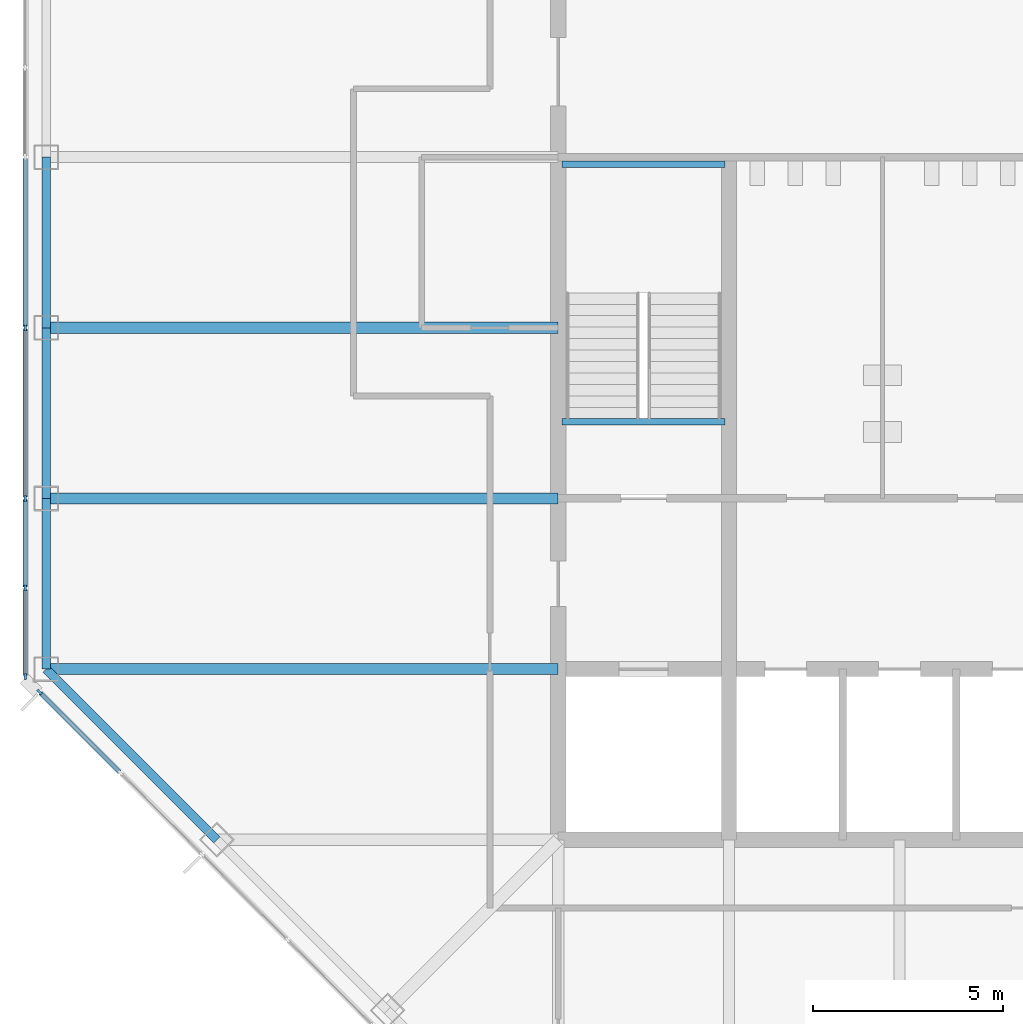
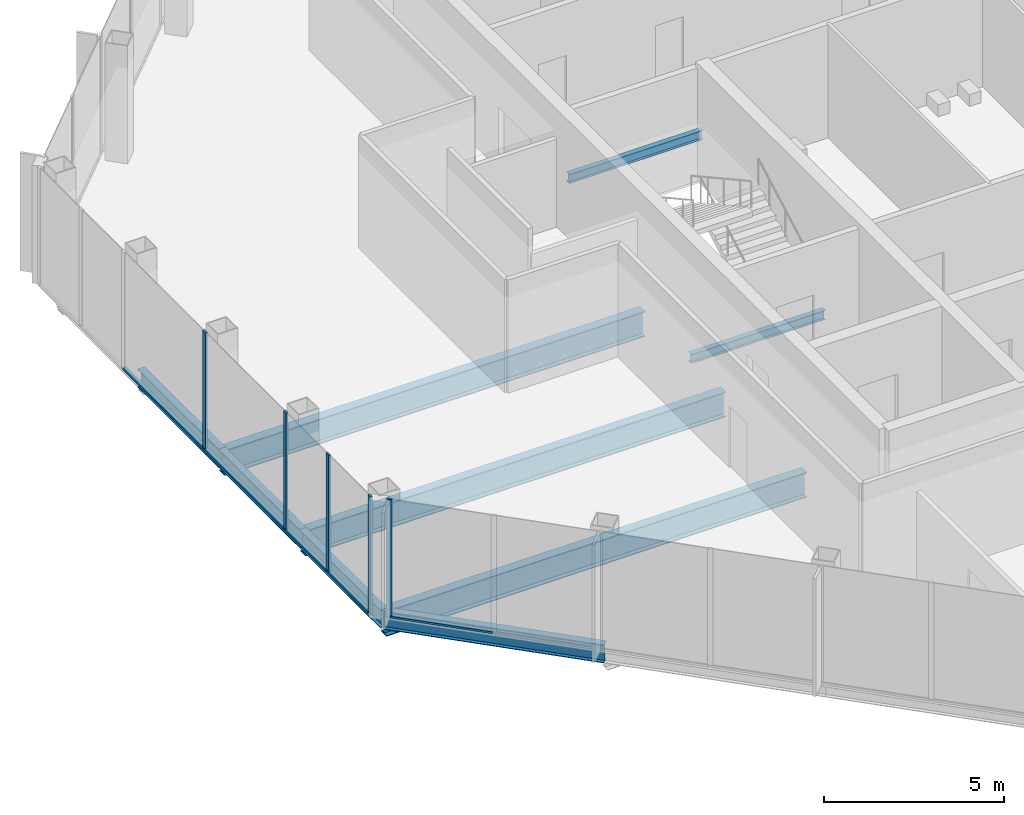
# One storey, part 3 of 14: 10 members, 9 beams, 2 elements without a shape of their own.
"""IFC4 building model written with IfcOpenShell, lengths in metres."""

from ifc_helpers import new_model, si_unit, direction, frame, origin, origin_2d, place, context, subcontext, project, spatial, rectangle, i_section, extrude, material, material_profile, profile_set, type_object, element, aggregate, save


model = new_model("IFC4")

# Units and contexts
model_context = context("Model", 3, precision=1e-05, world=origin(), true_north=direction((0.0, 1.0)))
body_context = subcontext(model_context, "Body", "Model", "MODEL_VIEW")
ifc_project = project(units=[si_unit("LENGTHUNIT", "METRE"), si_unit("AREAUNIT", "SQUARE_METRE"), si_unit("VOLUMEUNIT", "CUBIC_METRE"), si_unit("PLANEANGLEUNIT", "RADIAN"), si_unit("MASSUNIT", "GRAM", prefix="KILO")], contexts=[model_context])

# Site, building, storey
site_placement = place(None, origin())
site = spatial("IfcSite", under=ifc_project, at=site_placement, CompositionType="ELEMENT")
building_placement = place(site_placement, origin())
building = spatial("IfcBuilding", under=site, at=building_placement, Name="Corais Broadcast Tower", CompositionType="ELEMENT")
storey_placement = place(building_placement, frame((0.0, 0.0, 246.60009765625)))
storey = spatial("IfcBuildingStorey", under=building, at=storey_placement, Name="L57", CompositionType="ELEMENT", Elevation=246.60009765625)

# Beams
ifc_material_1 = material(Name="Steel ASTM A572 Grade 50", Category="steel")
ifc_material_profile_1 = material_profile(ifc_material_1, i_section(OverallWidth=0.2939453125, OverallDepth=0.85107421875, WebThickness=0.01611328125, FlangeThickness=0.02685546875, at=origin_2d()), Name="W840x226")
ifc_profile_set_1 = profile_set([ifc_material_profile_1], Name="Steel ASTM A572 Grade 50")
beam_type_1 = type_object("IfcBeamType", Name="Floor beam W840x226", PredefinedType="BEAM", material=ifc_profile_set_1)
for number, where, z_axis, x_axis, name in (
    (1, (0.0, 18.0, -0.585693359375), (1.0, 0.0, 0.0), (0.0, 1.0, 0.0), "B1 E/3 to E/6"),
    (2, (0.0, 22.5, -0.585693359375), (1.0, 0.0, 0.0), (0.0, 1.0, 0.0), "B1 F/3 to F/6"),
    (3, (0.0, 27.0, -0.585693359375), (1.0, 0.0, 0.0), (0.0, 1.0, 0.0), "B1 G/3 to G/6"),
):
    element("IfcBeam", number, at=place(storey_placement, frame(where, z_axis=z_axis, x_axis=x_axis)), inside=storey, type_object=beam_type_1, Name=name, PredefinedType="BEAM", context=body_context, shape_type="SweptSolid", body=[
        extrude(i_section(OverallWidth=0.2939453125, OverallDepth=0.85107421875, WebThickness=0.01611328125, FlangeThickness=0.02685546875, at=origin_2d()), origin(), (0.0, 0.0, 1.0), 13.5),
    ])
ifc_material_2 = material(Name="Steel ASTM A572 Grade 50", Category="steel")
ifc_material_profile_2 = material_profile(ifc_material_2, i_section(OverallWidth=0.1650390625, OverallDepth=0.31005859375, WebThickness=0.005859375, FlangeThickness=0.009765625, at=origin_2d()), Name="W310x38.7")
ifc_profile_set_2 = profile_set([ifc_material_profile_2], Name="Steel ASTM A572 Grade 50")
beam_type_2 = type_object("IfcBeamType", Name="Landing trimmer W310x38.7", PredefinedType="BEAM", material=ifc_profile_set_2)
for number, where, z_axis, x_axis, name in (
    (4, (13.60009765625, 24.52490234375, -0.35498046875), (1.0, 0.0, 0.0), (0.0, 1.0, 0.0), "LT1 stair A landing trimmer L57"),
    (5, (13.60009765625, 31.31005859375, 1.64501953125), (1.0, 0.0, 0.0), (0.0, 1.0, 0.0), "LT1 stair A half landing trimmer L57"),
):
    element("IfcBeam", number, at=place(storey_placement, frame(where, z_axis=z_axis, x_axis=x_axis)), inside=storey, type_object=beam_type_2, Name=name, PredefinedType="BEAM", context=body_context, shape_type="SweptSolid", body=[
        extrude(i_section(OverallWidth=0.1650390625, OverallDepth=0.31005859375, WebThickness=0.005859375, FlangeThickness=0.009765625, at=origin_2d()), origin(), (0.0, 0.0, 1.0), 4.2998046875),
    ])

# Curtain wall, member
ifc_material_3 = material(Name="Aluminium and glass", Category="aluminium")
curtain_wall_type = type_object("IfcCurtainWallType", Name="Unitised fritted curtain wall CW3", PredefinedType="NOTDEFINED", material=ifc_material_3)
curtain_wall_1_placement = place(storey_placement, origin())
curtain_wall_1 = element("IfcCurtainWall", 6, at=curtain_wall_1_placement, inside=storey, type_object=curtain_wall_type, Name="CW3 curtain wall L57 1", PredefinedType="NOTDEFINED")
ifc_material_4 = material(Name="Aluminium 6063-T6", Category="aluminium")
ifc_material_profile_3 = material_profile(ifc_material_4, rectangle(XDim=0.06494140625, YDim=0.159912109375, at=origin_2d()), Name="Mullion CW3 65x160")
ifc_profile_set_3 = profile_set([ifc_material_profile_3], Name="Aluminium 6063-T6")
member_type_1 = type_object("IfcMemberType", Name="Mullion CW3 65x160", PredefinedType="MULLION", material=ifc_profile_set_3)
member_1_placement = place(storey_placement, frame((-0.17333984375, 17.3955078125, 0.0), z_axis=(0.0, 0.0, 1.0), x_axis=(-0.707106781187, -0.707106781187, 0.0)))
member_1 = element("IfcMember", 7, at=member_1_placement, type_object=member_type_1, Name="CW3 mullion 9", PredefinedType="MULLION", context=body_context, shape_type="SweptSolid", body=[
    extrude(rectangle(XDim=0.06494140625, YDim=0.159912109375, at=origin_2d()), origin(), (0.0, 0.0, 1.0), 4.0),
])

# Curtain wall, members
curtain_wall_2_placement = place(storey_placement, origin())
curtain_wall_2 = element("IfcCurtainWall", 8, at=curtain_wall_2_placement, inside=storey, type_object=curtain_wall_type, Name="CW3 curtain wall L57 2", PredefinedType="NOTDEFINED")
member_2_placement = place(storey_placement, frame((-0.550048828125, 17.8046875, 0.0), z_axis=(0.0, 0.0, 1.0), x_axis=(-1.0, 0.0, 0.0)))
member_2 = element("IfcMember", 9, at=member_2_placement, type_object=member_type_1, Name="CW3 mullion 1", PredefinedType="MULLION", context=body_context, shape_type="SweptSolid", body=[
    extrude(rectangle(XDim=0.06494140625, YDim=0.159912109375, at=origin_2d()), origin(), (0.0, 0.0, 1.0), 4.0),
])
member_3_placement = place(storey_placement, frame((-0.550048828125, 20.135986328125, 0.0), z_axis=(0.0, 0.0, 1.0), x_axis=(-1.0, 0.0, 0.0)))
member_3 = element("IfcMember", 10, at=member_3_placement, type_object=member_type_1, Name="CW3 mullion 2", PredefinedType="MULLION", context=body_context, shape_type="SweptSolid", body=[
    extrude(rectangle(XDim=0.06494140625, YDim=0.159912109375, at=origin_2d()), origin(), (0.0, 0.0, 1.0), 4.0),
])
member_4_placement = place(storey_placement, frame((-0.550048828125, 22.5, 0.0), z_axis=(0.0, 0.0, 1.0), x_axis=(-1.0, 0.0, 0.0)))
member_4 = element("IfcMember", 11, at=member_4_placement, type_object=member_type_1, Name="CW3 mullion 3", PredefinedType="MULLION", context=body_context, shape_type="SweptSolid", body=[
    extrude(rectangle(XDim=0.06494140625, YDim=0.159912109375, at=origin_2d()), origin(), (0.0, 0.0, 1.0), 4.0),
])
member_5_placement = place(storey_placement, frame((-0.550048828125, 27.0, 0.0), z_axis=(0.0, 0.0, 1.0), x_axis=(-1.0, 0.0, 0.0)))
member_5 = element("IfcMember", 12, at=member_5_placement, type_object=member_type_1, Name="CW3 mullion 4", PredefinedType="MULLION", context=body_context, shape_type="SweptSolid", body=[
    extrude(rectangle(XDim=0.06494140625, YDim=0.159912109375, at=origin_2d()), origin(), (0.0, 0.0, 1.0), 4.0),
])

# Beams
ifc_material_5 = material(Name="Steel ASTM A572 Grade 50", Category="steel")
ifc_material_profile_4 = material_profile(ifc_material_5, i_section(OverallWidth=0.22998046875, OverallDepth=0.616943359375, WebThickness=0.01318359375, FlangeThickness=0.022216796875, at=origin_2d()), Name="W610x140")
ifc_profile_set_4 = profile_set([ifc_material_profile_4], Name="Steel ASTM A572 Grade 50")
beam_type_3 = type_object("IfcBeamType", Name="Spandrel W610x140", PredefinedType="BEAM", material=ifc_profile_set_4)
beam_placement = place(storey_placement, frame((0.0, 18.0, -0.468505859375), z_axis=(0.707106781187, -0.707106781187, 0.0), x_axis=(0.707106781187, 0.707106781187, 0.0)))
element("IfcBeam", 13, at=beam_placement, inside=storey, type_object=beam_type_3, Name="SB3 E/3 to D/4", PredefinedType="BEAM", context=body_context, shape_type="SweptSolid", body=[
    extrude(i_section(OverallWidth=0.22998046875, OverallDepth=0.616943359375, WebThickness=0.01318359375, FlangeThickness=0.022216796875, at=origin_2d()), origin(), (0.0, 0.0, 1.0), 6.364013671875),
])
for number, where, z_axis, x_axis, name in (
    (14, (0.0, 22.5, -0.468505859375), (0.0, -1.0, 0.0), (1.0, 0.0, 0.0), "SB3 F/3 to E/3"),
    (15, (0.0, 27.0, -0.468505859375), (0.0, -1.0, 0.0), (1.0, 0.0, 0.0), "SB3 G/3 to F/3"),
    (16, (0.0, 31.5, -0.468505859375), (0.0, -1.0, 0.0), (1.0, 0.0, 0.0), "SB3 H/3 to G/3"),
):
    element("IfcBeam", number, at=place(storey_placement, frame(where, z_axis=z_axis, x_axis=x_axis)), inside=storey, type_object=beam_type_3, Name=name, PredefinedType="BEAM", context=body_context, shape_type="SweptSolid", body=[
        extrude(i_section(OverallWidth=0.22998046875, OverallDepth=0.616943359375, WebThickness=0.01318359375, FlangeThickness=0.022216796875, at=origin_2d()), origin(), (0.0, 0.0, 1.0), 4.5),
    ])

# Member
ifc_material_6 = material(Name="Aluminium 6063-T6", Category="aluminium")
ifc_material_profile_5 = material_profile(ifc_material_6, rectangle(XDim=0.1201171875, YDim=0.06494140625, at=origin_2d()), Name="Transom CW3 65x120")
ifc_profile_set_5 = profile_set([ifc_material_profile_5], Name="Aluminium 6063-T6")
member_type_2 = type_object("IfcMemberType", Name="Transom CW3 65x120", PredefinedType="USERDEFINED", material=ifc_profile_set_5)
member_6_placement = place(storey_placement, frame((1.934326171875, 15.287841796875, 0.032470703125), z_axis=(-0.707106781187, 0.707106781187, 0.0), x_axis=(-0.707106781187, -0.707106781187, 0.0)))
member_6 = element("IfcMember", 17, at=member_6_placement, type_object=member_type_2, Name="CW3 transom 8.1", ObjectType="TRANSOM", PredefinedType="USERDEFINED", context=body_context, shape_type="SweptSolid", body=[
    extrude(rectangle(XDim=0.1201171875, YDim=0.06494140625, at=origin_2d()), origin(), (0.0, 0.0, 1.0), 2.9482421875),
])

aggregate(curtain_wall_1, [member_1, member_6])

member_7_placement = place(storey_placement, frame((-0.550048828125, 17.837158203125, 0.032470703125), z_axis=(0.0, 1.0, 0.0), x_axis=(-1.0, 0.0, 0.0)))
member_7 = element("IfcMember", 18, at=member_7_placement, type_object=member_type_2, Name="CW3 transom 1.1", ObjectType="TRANSOM", PredefinedType="USERDEFINED", context=body_context, shape_type="SweptSolid", body=[
    extrude(rectangle(XDim=0.1201171875, YDim=0.06494140625, at=origin_2d()), origin(), (0.0, 0.0, 1.0), 2.266357421875),
])

member_8_placement = place(storey_placement, frame((-0.550048828125, 20.168701171875, 0.032470703125), z_axis=(0.0, 1.0, 0.0), x_axis=(-1.0, 0.0, 0.0)))
member_8 = element("IfcMember", 19, at=member_8_placement, type_object=member_type_2, Name="CW3 transom 2.1", ObjectType="TRANSOM", PredefinedType="USERDEFINED", context=body_context, shape_type="SweptSolid", body=[
    extrude(rectangle(XDim=0.1201171875, YDim=0.06494140625, at=origin_2d()), origin(), (0.0, 0.0, 1.0), 2.298828125),
])

member_9_placement = place(storey_placement, frame((-0.550048828125, 22.532470703125, 0.032470703125), z_axis=(0.0, 1.0, 0.0), x_axis=(-1.0, 0.0, 0.0)))
member_9 = element("IfcMember", 20, at=member_9_placement, type_object=member_type_2, Name="CW3 transom 3.1", ObjectType="TRANSOM", PredefinedType="USERDEFINED", context=body_context, shape_type="SweptSolid", body=[
    extrude(rectangle(XDim=0.1201171875, YDim=0.06494140625, at=origin_2d()), origin(), (0.0, 0.0, 1.0), 4.43505859375),
])

member_10_placement = place(storey_placement, frame((-0.550048828125, 27.032470703125, 0.032470703125), z_axis=(0.0, 1.0, 0.0), x_axis=(-1.0, 0.0, 0.0)))
member_10 = element("IfcMember", 21, at=member_10_placement, type_object=member_type_2, Name="CW3 transom 4.1", ObjectType="TRANSOM", PredefinedType="USERDEFINED", context=body_context, shape_type="SweptSolid", body=[
    extrude(rectangle(XDim=0.1201171875, YDim=0.06494140625, at=origin_2d()), origin(), (0.0, 0.0, 1.0), 4.43505859375),
])

aggregate(curtain_wall_2, [member_2, member_3, member_4, member_5, member_7, member_8, member_9, member_10])

save(model, "model.ifc")
